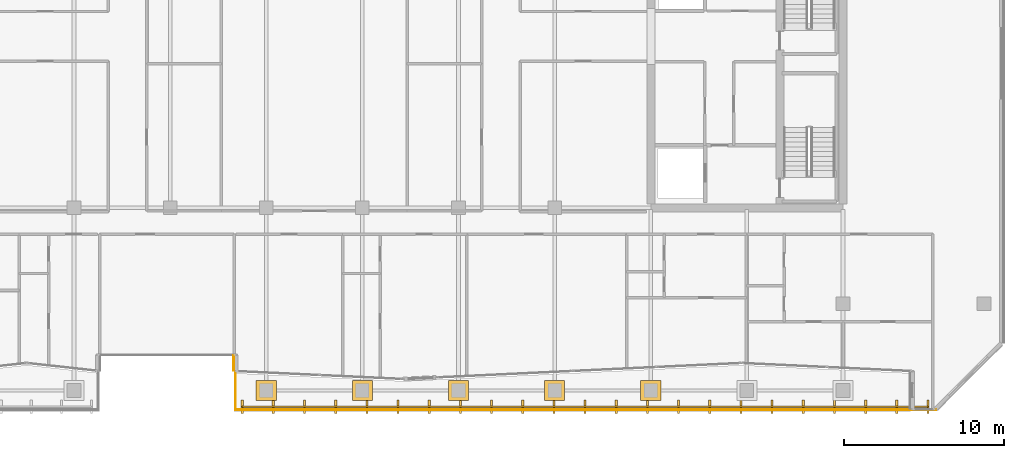
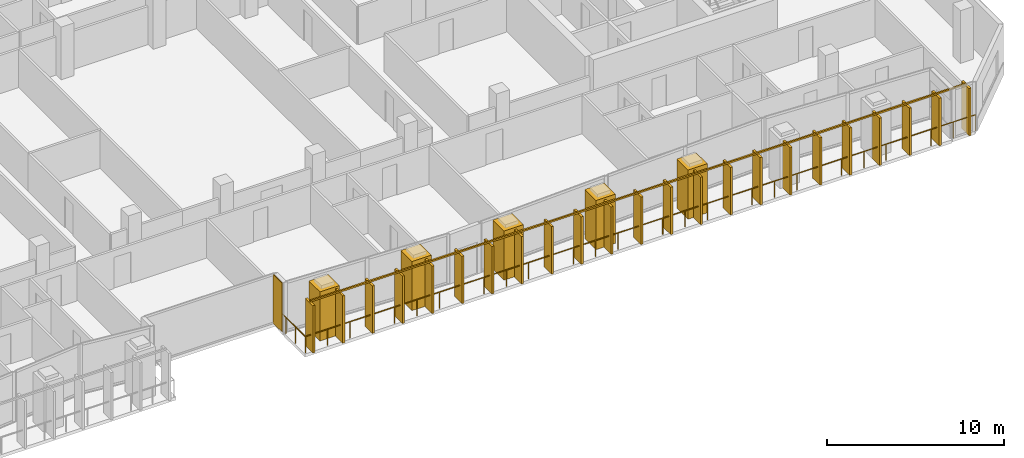
# One storey, part 26 of 28: 6 coverings, 2 railings.
"""IFC4 building model written with IfcOpenShell, lengths in metres."""

from ifc_helpers import new_model, si_unit, direction, frame, origin, origin_2d, place, context, subcontext, project, spatial, rectangle, extrude, material, layer, layer_set, type_object, element, save


model = new_model("IFC4")

# Units and contexts
model_context = context("Model", 3, precision=1e-05, world=origin(), true_north=direction((0.0, 1.0)))
body_context = subcontext(model_context, "Body", "Model", "MODEL_VIEW")
ifc_project = project(units=[si_unit("LENGTHUNIT", "METRE"), si_unit("AREAUNIT", "SQUARE_METRE"), si_unit("VOLUMEUNIT", "CUBIC_METRE"), si_unit("PLANEANGLEUNIT", "RADIAN"), si_unit("MASSUNIT", "GRAM", prefix="KILO")], contexts=[model_context])

# Site, building, storey
site_placement = place(None, origin())
site = spatial("IfcSite", under=ifc_project, at=site_placement, CompositionType="ELEMENT")
building_placement = place(site_placement, origin())
building = spatial("IfcBuilding", under=site, at=building_placement, Name="Tanjung Sevakor Pilgrim Tower", CompositionType="ELEMENT")
storey_placement = place(building_placement, frame((0.0, 0.0, 158.39990234375)))
storey = spatial("IfcBuildingStorey", under=building, at=storey_placement, Name="L44", CompositionType="ELEMENT", Elevation=158.39990234375)

# Coverings
ifc_material_1 = material(Name="Reconstructed Limestone Cladding", Category="masonry")
ifc_layer = layer(ifc_material_1, 0.044921875)
ifc_layer_set = layer_set([ifc_layer], Name="COV-CLAD-LIMESTONE")
covering_type = type_object("IfcCoveringType", Name="COV-CLAD-LIMESTONE", PredefinedType="CLADDING", material=ifc_layer_set)
covering_placement = place(storey_placement, frame((51.9775390625, 14.912109375, 0.02001953125), z_axis=(0.0, 0.0, 1.0), x_axis=(0.0, -1.0, 0.0)))
element("IfcCovering", 1, at=covering_placement, inside=storey, type_object=covering_type, Name="L44 Warm Limestone Wall Cladding EW-L44-MAIN-9", PredefinedType="CLADDING", context=body_context, shape_type="SweptSolid", body=[
    extrude(rectangle(XDim=0.98583984375, YDim=0.044921875, at=origin_2d()), origin(), (0.0, 0.0, 1.0), 3.3701171875),
])
for number, where, z_axis, x_axis, name in (
    (2, (54.0, 13.199951171875, 0.01025390625), (0.0, 0.0, 1.0), (1.0, 0.0, 0.0), "L44 Colonnade Pier Limestone Casing 29"),
    (3, (60.0, 13.199951171875, 0.01025390625), (0.0, 0.0, 1.0), (1.0, 0.0, 0.0), "L44 Colonnade Pier Limestone Casing 31"),
    (4, (66.0, 13.199951171875, 0.01025390625), (0.0, 0.0, 1.0), (1.0, 0.0, 0.0), "L44 Colonnade Pier Limestone Casing 33"),
    (5, (72.0, 13.199951171875, 0.01025390625), (0.0, 0.0, 1.0), (1.0, 0.0, 0.0), "L44 Colonnade Pier Limestone Casing 35"),
    (6, (78.0, 13.199951171875, 0.01025390625), (0.0, 0.0, 1.0), (1.0, 0.0, 0.0), "L44 Colonnade Pier Limestone Casing 37"),
):
    element("IfcCovering", number, at=place(storey_placement, frame(where, z_axis=z_axis, x_axis=x_axis)), inside=storey, type_object=covering_type, Name=name, PredefinedType="CLADDING", context=body_context, shape_type="SweptSolid", body=[
        extrude(rectangle(XDim=1.260009765625, YDim=1.260009765625, at=origin_2d()), origin(), (0.0, 0.0, 1.0), 3.389892578125),
    ])

# Railings
ifc_material_2 = material(Name="Steel S355J2", Category="steel")
railing_type_1 = type_object("IfcRailingType", Name="RL-EXT-GUARD", PredefinedType="GUARDRAIL", material=ifc_material_2)
railing_1_placement = place(storey_placement, frame((52.080078125, 15.300048828125, 0.0)))
element("IfcRailing", 7, at=railing_1_placement, inside=storey, type_object=railing_type_1, Name="L44 S-Curve Gap Guardrail SE", PredefinedType="GUARDRAIL", context=body_context, shape_type="SweptSolid", body=[
    extrude(rectangle(XDim=0.0479, YDim=0.0479), frame((0.0, 0.0, 1.1259765625), z_axis=(0.0, -1.0, 0.0), x_axis=(1.0, 0.0, 0.0)), (0.0, 0.0, 1.0), 3.300048828125),
    extrude(rectangle(XDim=0.0479, YDim=0.0479), frame((0.0, -3.300048828125, 1.1259765625), z_axis=(1.0, 0.0, 0.0), x_axis=(0.0, 1.0, 0.0)), (0.0, 0.0, 1.0), 43.719970703125),
    extrude(rectangle(XDim=0.042, YDim=0.042), origin(), (0.0, 0.0, 1.0), 1.101806640625),
    extrude(rectangle(XDim=0.042, YDim=0.042), frame((0.0, -1.10009765625, 0.0)), (0.0, 0.0, 1.0), 1.101806640625),
    extrude(rectangle(XDim=0.042, YDim=0.042), frame((0.0, -2.199951171875, 0.0)), (0.0, 0.0, 1.0), 1.101806640625),
    extrude(rectangle(XDim=0.042, YDim=0.042), frame((0.0, -3.300048828125, 0.0)), (0.0, 0.0, 1.0), 1.101806640625),
    extrude(rectangle(XDim=0.042, YDim=0.042), frame((1.457275390625, -3.300048828125, 0.0)), (0.0, 0.0, 1.0), 1.101806640625),
    extrude(rectangle(XDim=0.042, YDim=0.042), frame((2.91455078125, -3.300048828125, 0.0)), (0.0, 0.0, 1.0), 1.101806640625),
    extrude(rectangle(XDim=0.042, YDim=0.042), frame((4.3720703125, -3.300048828125, 0.0)), (0.0, 0.0, 1.0), 1.101806640625),
    extrude(rectangle(XDim=0.042, YDim=0.042), frame((5.829345703125, -3.300048828125, 0.0)), (0.0, 0.0, 1.0), 1.101806640625),
    extrude(rectangle(XDim=0.042, YDim=0.042), frame((7.28662109375, -3.300048828125, 0.0)), (0.0, 0.0, 1.0), 1.101806640625),
    extrude(rectangle(XDim=0.042, YDim=0.042), frame((8.743896484375, -3.300048828125, 0.0)), (0.0, 0.0, 1.0), 1.101806640625),
    extrude(rectangle(XDim=0.042, YDim=0.042), frame((10.201416015625, -3.300048828125, 0.0)), (0.0, 0.0, 1.0), 1.101806640625),
    extrude(rectangle(XDim=0.042, YDim=0.042), frame((11.65869140625, -3.300048828125, 0.0)), (0.0, 0.0, 1.0), 1.101806640625),
    extrude(rectangle(XDim=0.042, YDim=0.042), frame((13.115966796875, -3.300048828125, 0.0)), (0.0, 0.0, 1.0), 1.101806640625),
    extrude(rectangle(XDim=0.042, YDim=0.042), frame((14.5732421875, -3.300048828125, 0.0)), (0.0, 0.0, 1.0), 1.101806640625),
    extrude(rectangle(XDim=0.042, YDim=0.042), frame((16.03076171875, -3.300048828125, 0.0)), (0.0, 0.0, 1.0), 1.101806640625),
    extrude(rectangle(XDim=0.042, YDim=0.042), frame((17.488037109375, -3.300048828125, 0.0)), (0.0, 0.0, 1.0), 1.101806640625),
    extrude(rectangle(XDim=0.042, YDim=0.042), frame((18.9453125, -3.300048828125, 0.0)), (0.0, 0.0, 1.0), 1.101806640625),
    extrude(rectangle(XDim=0.042, YDim=0.042), frame((20.402587890625, -3.300048828125, 0.0)), (0.0, 0.0, 1.0), 1.101806640625),
    extrude(rectangle(XDim=0.042, YDim=0.042), frame((21.85986328125, -3.300048828125, 0.0)), (0.0, 0.0, 1.0), 1.101806640625),
    extrude(rectangle(XDim=0.042, YDim=0.042), frame((23.3173828125, -3.300048828125, 0.0)), (0.0, 0.0, 1.0), 1.101806640625),
    extrude(rectangle(XDim=0.042, YDim=0.042), frame((24.774658203125, -3.300048828125, 0.0)), (0.0, 0.0, 1.0), 1.101806640625),
    extrude(rectangle(XDim=0.042, YDim=0.042), frame((26.23193359375, -3.300048828125, 0.0)), (0.0, 0.0, 1.0), 1.101806640625),
    extrude(rectangle(XDim=0.042, YDim=0.042), frame((27.689208984375, -3.300048828125, 0.0)), (0.0, 0.0, 1.0), 1.101806640625),
    extrude(rectangle(XDim=0.042, YDim=0.042), frame((29.146728515625, -3.300048828125, 0.0)), (0.0, 0.0, 1.0), 1.101806640625),
    extrude(rectangle(XDim=0.042, YDim=0.042), frame((30.60400390625, -3.300048828125, 0.0)), (0.0, 0.0, 1.0), 1.101806640625),
    extrude(rectangle(XDim=0.042, YDim=0.042), frame((32.061279296875, -3.300048828125, 0.0)), (0.0, 0.0, 1.0), 1.101806640625),
    extrude(rectangle(XDim=0.042, YDim=0.042), frame((33.5185546875, -3.300048828125, 0.0)), (0.0, 0.0, 1.0), 1.101806640625),
    extrude(rectangle(XDim=0.042, YDim=0.042), frame((34.97607421875, -3.300048828125, 0.0)), (0.0, 0.0, 1.0), 1.101806640625),
    extrude(rectangle(XDim=0.042, YDim=0.042), frame((36.433349609375, -3.300048828125, 0.0)), (0.0, 0.0, 1.0), 1.101806640625),
    extrude(rectangle(XDim=0.042, YDim=0.042), frame((37.890625, -3.300048828125, 0.0)), (0.0, 0.0, 1.0), 1.101806640625),
    extrude(rectangle(XDim=0.042, YDim=0.042), frame((39.347900390625, -3.300048828125, 0.0)), (0.0, 0.0, 1.0), 1.101806640625),
    extrude(rectangle(XDim=0.042, YDim=0.042), frame((40.805419921875, -3.300048828125, 0.0)), (0.0, 0.0, 1.0), 1.101806640625),
    extrude(rectangle(XDim=0.042, YDim=0.042), frame((42.2626953125, -3.300048828125, 0.0)), (0.0, 0.0, 1.0), 1.101806640625),
    extrude(rectangle(XDim=0.042, YDim=0.042), frame((43.719970703125, -3.300048828125, 0.0)), (0.0, 0.0, 1.0), 1.101806640625),
])
ifc_material_3 = material(Name="Anodised Bronze Aluminium 6063-T6", Category="aluminium")
railing_type_2 = type_object("IfcRailingType", Name="RL-FIN-SCREEN", PredefinedType="BALUSTRADE", material=ifc_material_3)
railing_2_placement = place(storey_placement, frame((52.5, 12.179931640625, 0.0)))
element("IfcRailing", 8, at=railing_2_placement, inside=storey, type_object=railing_type_2, Name="L44 Vertical Bronze-Gold Solar Fin Screen FN-SCGAP-L44-SE-1", PredefinedType="BALUSTRADE", context=body_context, shape_type="SweptSolid", body=[
    extrude(rectangle(XDim=0.105, YDim=0.105), frame((0.0, 0.0, 3.317626953125), z_axis=(1.0, 0.0, 0.0), x_axis=(0.0, 1.0, 0.0)), (0.0, 0.0, 1.0), 42.800048828125),
    extrude(rectangle(XDim=0.14, YDim=0.85), origin(), (0.0, 0.0, 1.0), 3.26513671875),
    extrude(rectangle(XDim=0.14, YDim=0.85), frame((1.945556640625, 0.0, 0.0)), (0.0, 0.0, 1.0), 3.26513671875),
    extrude(rectangle(XDim=0.14, YDim=0.85), frame((3.890869140625, 0.0, 0.0)), (0.0, 0.0, 1.0), 3.26513671875),
    extrude(rectangle(XDim=0.14, YDim=0.85), frame((5.83642578125, 0.0, 0.0)), (0.0, 0.0, 1.0), 3.26513671875),
    extrude(rectangle(XDim=0.14, YDim=0.85), frame((7.78173828125, 0.0, 0.0)), (0.0, 0.0, 1.0), 3.26513671875),
    extrude(rectangle(XDim=0.14, YDim=0.85), frame((9.727294921875, 0.0, 0.0)), (0.0, 0.0, 1.0), 3.26513671875),
    extrude(rectangle(XDim=0.14, YDim=0.85), frame((11.6728515625, 0.0, 0.0)), (0.0, 0.0, 1.0), 3.26513671875),
    extrude(rectangle(XDim=0.14, YDim=0.85), frame((13.6181640625, 0.0, 0.0)), (0.0, 0.0, 1.0), 3.26513671875),
    extrude(rectangle(XDim=0.14, YDim=0.85), frame((15.563720703125, 0.0, 0.0)), (0.0, 0.0, 1.0), 3.26513671875),
    extrude(rectangle(XDim=0.14, YDim=0.85), frame((17.509033203125, 0.0, 0.0)), (0.0, 0.0, 1.0), 3.26513671875),
    extrude(rectangle(XDim=0.14, YDim=0.85), frame((19.45458984375, 0.0, 0.0)), (0.0, 0.0, 1.0), 3.26513671875),
    extrude(rectangle(XDim=0.14, YDim=0.85), frame((21.39990234375, 0.0, 0.0)), (0.0, 0.0, 1.0), 3.26513671875),
    extrude(rectangle(XDim=0.14, YDim=0.85), frame((23.345458984375, 0.0, 0.0)), (0.0, 0.0, 1.0), 3.26513671875),
    extrude(rectangle(XDim=0.14, YDim=0.85), frame((25.291015625, 0.0, 0.0)), (0.0, 0.0, 1.0), 3.26513671875),
    extrude(rectangle(XDim=0.14, YDim=0.85), frame((27.236328125, 0.0, 0.0)), (0.0, 0.0, 1.0), 3.26513671875),
    extrude(rectangle(XDim=0.14, YDim=0.85), frame((29.181884765625, 0.0, 0.0)), (0.0, 0.0, 1.0), 3.26513671875),
    extrude(rectangle(XDim=0.14, YDim=0.85), frame((31.127197265625, 0.0, 0.0)), (0.0, 0.0, 1.0), 3.26513671875),
    extrude(rectangle(XDim=0.14, YDim=0.85), frame((33.07275390625, 0.0, 0.0)), (0.0, 0.0, 1.0), 3.26513671875),
    extrude(rectangle(XDim=0.14, YDim=0.85), frame((35.018310546875, 0.0, 0.0)), (0.0, 0.0, 1.0), 3.26513671875),
    extrude(rectangle(XDim=0.14, YDim=0.85), frame((36.963623046875, 0.0, 0.0)), (0.0, 0.0, 1.0), 3.26513671875),
    extrude(rectangle(XDim=0.14, YDim=0.85), frame((38.9091796875, 0.0, 0.0)), (0.0, 0.0, 1.0), 3.26513671875),
    extrude(rectangle(XDim=0.14, YDim=0.85), frame((40.8544921875, 0.0, 0.0)), (0.0, 0.0, 1.0), 3.26513671875),
    extrude(rectangle(XDim=0.14, YDim=0.85), frame((42.800048828125, 0.0, 0.0)), (0.0, 0.0, 1.0), 3.26513671875),
])

save(model, "model.ifc")
